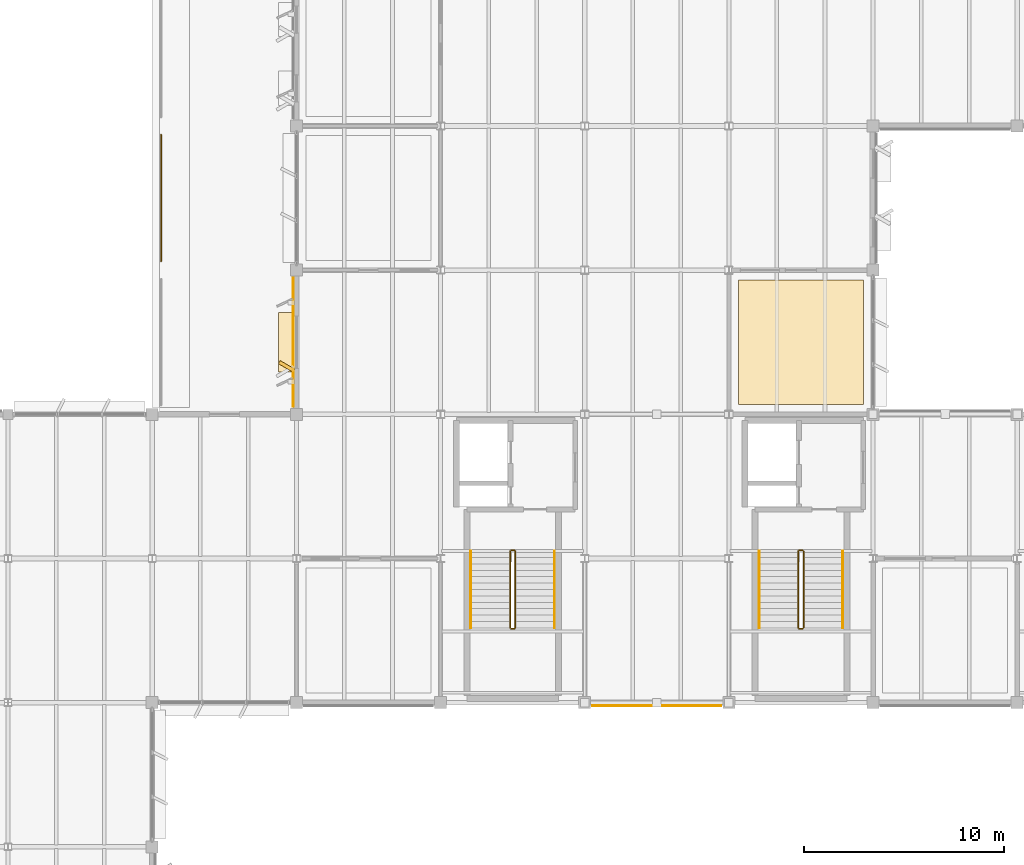
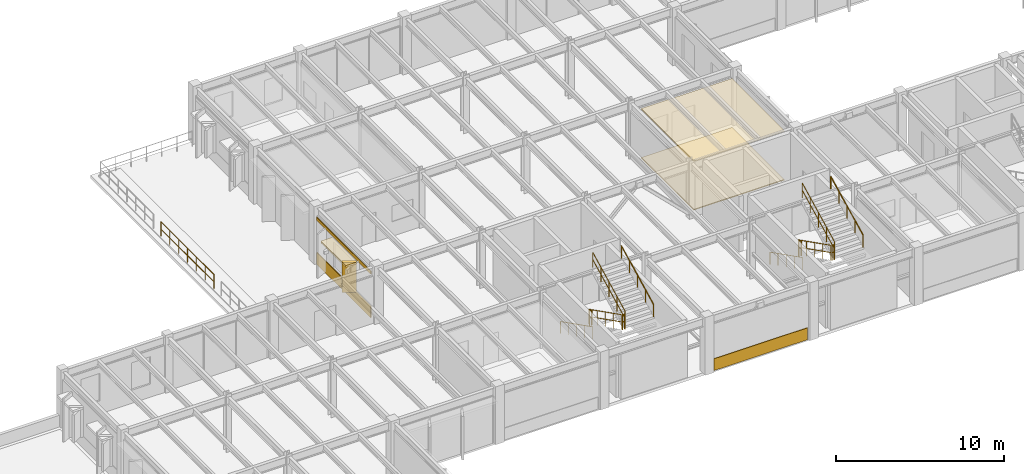
# One storey, part 81 of 85: 13 railings, 7 coverings.
"""IFC4 building model written with IfcOpenShell, lengths in metres."""

import ifcopenshell
import ifcopenshell.guid

model = None  # the IFC model being written
_history = None  # IfcOwnerHistory: only IFC2X3 demands one
_inside = {}  # id of a spatial element -> (the spatial element, [elements in it])
_under = {}  # id of a project, library or spatial element -> (it, [spatial elements below it])
_declared = {}  # id of a project -> (the project, [libraries it declares])
_typed = {}  # id of a type object -> (the type object, [elements of that type])
_made_of = {}  # id of a material, layer set ... -> (it, [elements and type objects made of it])


def new_model(schema):
    """Start an empty IFC model of exactly this schema.

    Asked for "IFC4X3", IfcOpenShell would pick the latest addendum, in which some entities
    have other attributes; the version numbers below select the first issue.
    IFC2X3 requires an IfcOwnerHistory on every rooted entity: one is made here for all.
    """
    global model, _history
    if schema == "IFC4X3":
        model = ifcopenshell.file(schema_version=(4, 3, 0, 0))
    else:
        model = ifcopenshell.file(schema=schema)
    _inside.clear()
    _under.clear()
    _declared.clear()
    _typed.clear()
    _made_of.clear()
    _history = None
    if model.schema == "IFC2X3":
        org = make("IfcOrganization", Name="unknown")
        user = make(
            "IfcPersonAndOrganization",
            ThePerson=make("IfcPerson", FamilyName="unknown"),
            TheOrganization=org,
        )
        app = make(
            "IfcApplication",
            ApplicationDeveloper=org,
            Version="unknown",
            ApplicationFullName="unknown",
            ApplicationIdentifier="unknown",
        )
        _history = make(
            "IfcOwnerHistory",
            OwningUser=user,
            OwningApplication=app,
            ChangeAction="ADDED",
            CreationDate=0,
        )
    return model


def make(cls, **values):
    """One entity of the class cls with the attributes given. An attribute that is None is left unset."""
    return model.create_entity(
        cls, **{name: value for name, value in values.items() if value is not None}
    )


def rooted(cls, **values):
    """An entity with a GlobalId (a new one), such as an element, a storey or a relation."""
    return make(cls, GlobalId=ifcopenshell.guid.new(), OwnerHistory=_history, **values)


def si_unit(unit_type, name, prefix=None):
    """IfcSIUnit, for example si_unit("LENGTHUNIT", "METRE", prefix="MILLI")."""
    return make("IfcSIUnit", UnitType=unit_type, Prefix=prefix, Name=name)


def assignment(units):
    """IfcUnitAssignment: the units of a project."""
    return None if units is None else make("IfcUnitAssignment", Units=units)


def point(xyz):
    """IfcCartesianPoint."""
    return None if xyz is None else make("IfcCartesianPoint", Coordinates=xyz)


def direction(xyz):
    """IfcDirection."""
    return None if xyz is None else make("IfcDirection", DirectionRatios=xyz)


def frame(location, z_axis=None, x_axis=None):
    """IfcAxis2Placement3D, a coordinate frame: its origin and axes. An axis left out is left unset."""
    return make(
        "IfcAxis2Placement3D",
        Location=point(location),
        Axis=direction(z_axis),
        RefDirection=direction(x_axis),
    )


def frame_2d(location, x_axis=None):
    """IfcAxis2Placement2D, a coordinate frame in the plane: its origin and x axis."""
    return make(
        "IfcAxis2Placement2D", Location=point(location), RefDirection=direction(x_axis)
    )


def origin():
    """The frame at (0, 0, 0) with its axes left unset."""
    return frame((0.0, 0.0, 0.0))


def origin_2d():
    """The frame at (0, 0) in the plane with its x axis left unset."""
    return frame_2d((0.0, 0.0))


def place(relative_to, where):
    """IfcLocalPlacement: puts the frame where relative to a parent placement (None: the world)."""
    return make(
        "IfcLocalPlacement", PlacementRelTo=relative_to, RelativePlacement=where
    )


def context(
    kind, dimensions, precision=None, world=None, true_north=None, identifier=None
):
    """IfcGeometricRepresentationContext, for example the 3D "Model" context."""
    return make(
        "IfcGeometricRepresentationContext",
        ContextIdentifier=identifier,
        ContextType=kind,
        CoordinateSpaceDimension=dimensions,
        Precision=precision,
        WorldCoordinateSystem=world,
        TrueNorth=true_north,
    )


def subcontext(parent, identifier, kind, view, scale=None):
    """IfcGeometricRepresentationSubContext, for example "Body" below "Model"."""
    return make(
        "IfcGeometricRepresentationSubContext",
        ContextIdentifier=identifier,
        ContextType=kind,
        ParentContext=parent,
        TargetScale=scale,
        TargetView=view,
    )


def project(units=None, contexts=None):
    """IfcProject with its units and contexts."""
    return rooted(
        "IfcProject",
        Name="project",
        RepresentationContexts=contexts,
        UnitsInContext=assignment(units),
    )


def spatial(cls, under=None, at=None, **own):
    """A site, building, storey or space (cls), placed at a placement, below another one or the project."""
    s = rooted(cls, ObjectPlacement=at, **own)
    if under is not None:
        _under.setdefault(under.id(), (under, []))[1].append(s)
    return s


def polyline(points):
    """IfcPolyline through the points."""
    return make("IfcPolyline", Points=[point(p) for p in points])


def profile(cls, at=None, kind="AREA", **sizes):
    """A parametric profile (cls). Its sizes go by their IFC names, for example OverallWidth=200.0."""
    return make(cls, ProfileType=kind, Position=at, **sizes)


def rectangle(**sizes):
    """IfcRectangleProfileDef."""
    return profile("IfcRectangleProfileDef", **sizes)


def circle(**sizes):
    """IfcCircleProfileDef."""
    return profile("IfcCircleProfileDef", **sizes)


def outline(outer, holes=None, kind="AREA"):
    """IfcArbitraryClosedProfileDef: a profile drawn as a closed curve; with holes, ...WithVoids."""
    if holes is None:
        return make("IfcArbitraryClosedProfileDef", ProfileType=kind, OuterCurve=outer)
    return make(
        "IfcArbitraryProfileDefWithVoids",
        ProfileType=kind,
        OuterCurve=outer,
        InnerCurves=holes,
    )


def extrude(swept, where, along, depth):
    """IfcExtrudedAreaSolid: the profile swept, set in the frame where, extruded along a direction by depth."""
    return make(
        "IfcExtrudedAreaSolid",
        SweptArea=swept,
        Position=where,
        ExtrudedDirection=direction(along),
        Depth=depth,
    )


def shape(context_of_items, identifier, shape_type, items):
    """IfcShapeRepresentation: the items that make up one representation, for example the "Body"."""
    return make(
        "IfcShapeRepresentation",
        ContextOfItems=context_of_items,
        RepresentationIdentifier=identifier,
        RepresentationType=shape_type,
        Items=items,
    )


def material(Name=None, Category=None):
    """IfcMaterial."""
    return make("IfcMaterial", Name=Name, Category=Category)


def layer(
    of_material, thickness, ventilated=None, Name=None, Category=None, Priority=None
):
    """IfcMaterialLayer: one layer of a wall or slab, of a material (None: an air gap)."""
    return make(
        "IfcMaterialLayer",
        Material=of_material,
        LayerThickness=thickness,
        IsVentilated=ventilated,
        Name=Name,
        Category=Category,
        Priority=Priority,
    )


def layer_set(layers, Name=None):
    """IfcMaterialLayerSet."""
    return make("IfcMaterialLayerSet", MaterialLayers=layers, LayerSetName=Name)


def made_of(thing, what):
    """Note that an element or type object is made of a material, layer set ...; save() writes the relation."""
    if what is not None:
        _made_of.setdefault(what.id(), (what, []))[1].append(thing)
    return thing


def type_object(cls, material=None, **own):
    """A type object (cls), such as IfcWallType, which elements share."""
    return made_of(rooted(cls, **own), material)


def element(
    cls,
    number,
    at=None,
    inside=None,
    cuts=None,
    type_object=None,
    material=None,
    context=None,
    identifier="Body",
    shape_type=None,
    held_by="IfcProductDefinitionShape",
    body=None,
    shapes=None,
    **own,
):
    """One element of the class cls, such as IfcWall. Its Tag is "e" and its number.

    at: its placement. inside: the storey or other place that contains it. cuts: it is an
    opening in that element (IfcRelVoidsElement). A single representation is given by context,
    identifier, shape_type and body (its items); several are given by shapes. held_by: the class
    of the entity that holds the representations. save() writes the other relations.
    """
    e = rooted(cls, Tag="e%d" % number, ObjectPlacement=at, **own)
    if body is not None:
        shapes = [shape(context, identifier, shape_type, body)]
    if shapes is not None:
        e.Representation = make(held_by, Representations=shapes)
    if inside is not None:
        _inside.setdefault(inside.id(), (inside, []))[1].append(e)
    if cuts is not None:
        rooted(
            "IfcRelVoidsElement", RelatingBuildingElement=cuts, RelatedOpeningElement=e
        )
    if type_object is not None:
        _typed.setdefault(type_object.id(), (type_object, []))[1].append(e)
    return made_of(e, material)


def aggregate(whole, parts):
    """IfcRelAggregates: a whole, such as a stair, and the parts it consists of."""
    return rooted("IfcRelAggregates", RelatingObject=whole, RelatedObjects=parts)


def save(model, path):
    """Write the relations noted so far, then the file.

    IfcRelAggregates (storeys below a building ...), IfcRelContainedInSpatialStructure (elements
    in a storey), IfcRelDefinesByType, IfcRelAssociatesMaterial and IfcRelDeclares: one each for
    every whole, place, type object, material and project.
    """
    for whole, parts in _under.values():
        aggregate(whole, parts)
    for where, things in _inside.values():
        rooted(
            "IfcRelContainedInSpatialStructure",
            RelatedElements=things,
            RelatingStructure=where,
        )
    for kind, things in _typed.values():
        rooted("IfcRelDefinesByType", RelatedObjects=things, RelatingType=kind)
    for what, things in _made_of.values():
        rooted("IfcRelAssociatesMaterial", RelatedObjects=things, RelatingMaterial=what)
    for by, libraries in _declared.values():
        rooted("IfcRelDeclares", RelatingContext=by, RelatedDefinitions=libraries)
    model.write(path)


model = new_model("IFC4")

# Units and contexts
model_context = context("Model", 3, precision=1e-05, world=origin(), true_north=direction((0.0, 1.0)))
body_context = subcontext(model_context, "Body", "Model", "MODEL_VIEW")
ifc_project = project(units=[si_unit("LENGTHUNIT", "METRE"), si_unit("AREAUNIT", "SQUARE_METRE"), si_unit("VOLUMEUNIT", "CUBIC_METRE"), si_unit("PLANEANGLEUNIT", "RADIAN"), si_unit("MASSUNIT", "GRAM", prefix="KILO")], contexts=[model_context])

# Site, building, storey
site_placement = place(None, origin())
site = spatial("IfcSite", under=ifc_project, at=site_placement, CompositionType="ELEMENT")
building_placement = place(site_placement, origin())
building = spatial("IfcBuilding", under=site, at=building_placement, Name="Sillqori Civic Hall", CompositionType="ELEMENT")
storey_placement = place(building_placement, frame((0.0, 0.0, 9.89990234375)))
storey = spatial("IfcBuildingStorey", under=building, at=storey_placement, Name="L03", CompositionType="ELEMENT", Elevation=9.89990234375)

# Coverings
ifc_material_1 = material(Name="Chamber Acoustic Coffer Liner 84", Category="timber")
ifc_layer_1 = layer(ifc_material_1, 0.083984375)
ifc_layer_set_1 = layer_set([ifc_layer_1], Name="Chamber Acoustic Coffer Liner 84")
covering_type_1 = type_object("IfcCoveringType", Name="COV-CEIL-M84", PredefinedType="CEILING", material=ifc_layer_set_1)
covering_1_placement = place(storey_placement, frame((0.0, 0.0, 3.537109375)))
element("IfcCovering", 1, at=covering_1_placement, inside=storey, type_object=covering_type_1, Name="Municipal Staff Reference Lounge acoustic ceiling", PredefinedType="CEILING", context=body_context, shape_type="SweptSolid", body=[
    extrude(outline(polyline([(65.280029296875, 94.080078125), (71.52001953125, 94.080078125), (71.52001953125, 100.320068359375), (65.280029296875, 100.320068359375), (65.280029296875, 94.080078125)])), origin(), (0.0, 0.0, 1.0), 0.083984375),
])
ifc_material_2 = material(Name="Cochabamba Honed Limestone Cladding", Category="masonry")
ifc_layer_2 = layer(ifc_material_2, 0.044921875)
ifc_layer_set_2 = layer_set([ifc_layer_2], Name="Cochabamba Honed Limestone Cladding")
covering_type_2 = type_object("IfcCoveringType", Name="COV-CLAD-LIME", PredefinedType="CLADDING", material=ifc_layer_set_2)
covering_2_placement = place(storey_placement, frame((43.0400390625, 93.97998046875, 0.0400390625), z_axis=(0.0, 0.0, 1.0), x_axis=(0.0, 1.0, 0.0)))
element("IfcCovering", 2, at=covering_2_placement, inside=storey, type_object=covering_type_2, Name="L03 limestone spandrel cladding L03-06-13-W", PredefinedType="CLADDING", context=body_context, shape_type="SweptSolid", body=[
    extrude(rectangle(XDim=6.43994140625, YDim=0.044921875, at=frame_2d((3.219970703125, 0.0))), origin(), (0.0, 0.0, 1.0), 0.860107421875),
])
covering_3_placement = place(storey_placement, frame((43.0400390625, 93.97998046875, 3.22021484375), z_axis=(0.0, 0.0, 1.0), x_axis=(0.0, 1.0, 0.0)))
element("IfcCovering", 3, at=covering_3_placement, inside=storey, type_object=covering_type_2, Name="L03 limestone frieze cladding L03-06-13-W", PredefinedType="CLADDING", context=body_context, shape_type="SweptSolid", body=[
    extrude(rectangle(XDim=6.43994140625, YDim=0.044921875, at=frame_2d((3.219970703125, 0.0))), origin(), (0.0, 0.0, 1.0), 0.226806640625),
])
covering_4_placement = place(storey_placement, frame((43.080078125, 95.780029296875, 0.830078125), z_axis=(0.0, 0.0, 1.0), x_axis=(-0.865989465428, 0.500062241894, 0.0)))
element("IfcCovering", 4, at=covering_4_placement, inside=storey, type_object=covering_type_2, Name="Sawtooth limestone angled reveal cheek L03-06-13-W.1", PredefinedType="CLADDING", context=body_context, shape_type="SweptSolid", body=[
    extrude(rectangle(XDim=0.85009765625, YDim=0.179931640625, at=frame_2d((0.425048828125, 0.0))), origin(), (0.0, 0.0, 1.0), 2.199951171875),
])
covering_5_placement = place(storey_placement, frame((42.699951171875, 95.719970703125, 2.89013671875), z_axis=(0.0, 0.0, 1.0), x_axis=(0.0, 1.0, 0.0)))
element("IfcCovering", 5, at=covering_5_placement, inside=storey, type_object=covering_type_2, Name="Sawtooth limestone window hood L03-06-13-W.1", PredefinedType="CLADDING", context=body_context, shape_type="SweptSolid", body=[
    extrude(rectangle(XDim=2.9599609375, YDim=0.780029296875, at=frame_2d((1.47998046875, 0.0))), origin(), (0.0, 0.0, 1.0), 0.139892578125),
])
covering_6_placement = place(storey_placement, frame((64.419921875, 79.0400390625, 0.0400390625), z_axis=(0.0, 0.0, 1.0), x_axis=(-1.0, 0.0, 0.0)))
element("IfcCovering", 6, at=covering_6_placement, inside=storey, type_object=covering_type_2, Name="L03 limestone spandrel cladding L03-08-11-S", PredefinedType="CLADDING", context=body_context, shape_type="SweptSolid", body=[
    extrude(rectangle(XDim=6.43994140625, YDim=0.044921875, at=frame_2d((3.219970703125, 0.0))), origin(), (0.0, 0.0, 1.0), 0.860107421875),
])
ifc_material_3 = material(Name="Raised Access Technical Floor Panel 62", Category="stone")
ifc_layer_3 = layer(ifc_material_3, 0.06201171875)
ifc_layer_set_3 = layer_set([ifc_layer_3], Name="Raised Access Technical Floor Panel 62")
covering_type_3 = type_object("IfcCoveringType", Name="COV-FLR-S62", PredefinedType="FLOORING", material=ifc_layer_set_3)
covering_7_placement = place(storey_placement, origin())
element("IfcCovering", 7, at=covering_7_placement, inside=storey, type_object=covering_type_3, Name="Municipal Staff Reference Lounge floor finish", PredefinedType="FLOORING", context=body_context, shape_type="SweptSolid", body=[
    extrude(outline(polyline([(65.280029296875, 94.080078125), (71.52001953125, 94.080078125), (71.52001953125, 100.320068359375), (65.280029296875, 100.320068359375), (65.280029296875, 94.080078125)])), origin(), (0.0, 0.0, 1.0), 0.06201171875),
])

# Railings
ifc_material_4 = material(Name="Brushed Stainless Steel 316 Handrail", Category="steel")
ifc_layer_4 = layer(ifc_material_4, 0.044921875)
ifc_layer_set_4 = layer_set([ifc_layer_4], Name="Brushed Stainless Steel 316 Handrail")
railing_type_1 = type_object("IfcRailingType", Name="RLG-CORE-092", PredefinedType="HANDRAIL", material=ifc_layer_set_4)
railing_1_placement = place(storey_placement, frame((51.909912109375, 86.77001953125, 0.16162109375)))
element("IfcRailing", 8, at=railing_1_placement, inside=storey, type_object=railing_type_1, Name="L03 ST-05 stair handrail 1", PredefinedType="HANDRAIL", context=body_context, shape_type="SweptSolid", body=[
    extrude(circle(Radius=0.02392578125, at=origin_2d()), frame((0.0, 0.0, 0.8759765625), z_axis=(0.0, -0.892706606903, 0.450638340569), x_axis=(1.0, 0.0, 0.0)), (0.0, 0.0, 1.0), 4.301513671875),
    extrude(circle(Radius=0.02099609375, at=origin_2d()), origin(), (0.0, 0.0, 1.0), 0.851806640625),
    extrude(circle(Radius=0.02099609375, at=origin_2d()), frame((0.0, -0.9599609375, 0.484619140625)), (0.0, 0.0, 1.0), 0.851806640625),
    extrude(circle(Radius=0.02099609375, at=origin_2d()), frame((0.0, -1.919921875, 0.96923828125)), (0.0, 0.0, 1.0), 0.851806640625),
    extrude(circle(Radius=0.02099609375, at=origin_2d()), frame((0.0, -2.880126953125, 1.453857421875)), (0.0, 0.0, 1.0), 0.851806640625),
    extrude(circle(Radius=0.02099609375, at=origin_2d()), frame((0.0, -3.840087890625, 1.9384765625)), (0.0, 0.0, 1.0), 0.851806640625),
])
railing_2_placement = place(storey_placement, frame((56.090087890625, 82.929931640625, 2.26171875)))
element("IfcRailing", 9, at=railing_2_placement, inside=storey, type_object=railing_type_1, Name="L03 ST-05 stair handrail 2", PredefinedType="HANDRAIL", context=body_context, shape_type="SweptSolid", body=[
    extrude(circle(Radius=0.02392578125, at=origin_2d()), frame((0.0, 0.0, 0.8759765625), z_axis=(0.0, 0.892706606903, 0.450638340569), x_axis=(-1.0, 0.0, 0.0)), (0.0, 0.0, 1.0), 4.301513671875),
    extrude(circle(Radius=0.02099609375, at=origin_2d()), origin(), (0.0, 0.0, 1.0), 0.851806640625),
    extrude(circle(Radius=0.02099609375, at=origin_2d()), frame((0.0, 0.9599609375, 0.484619140625)), (0.0, 0.0, 1.0), 0.851806640625),
    extrude(circle(Radius=0.02099609375, at=origin_2d()), frame((0.0, 1.919921875, 0.96923828125)), (0.0, 0.0, 1.0), 0.851806640625),
    extrude(circle(Radius=0.02099609375, at=origin_2d()), frame((0.0, 2.880126953125, 1.453857421875)), (0.0, 0.0, 1.0), 0.851806640625),
    extrude(circle(Radius=0.02099609375, at=origin_2d()), frame((0.0, 3.840087890625, 1.9384765625)), (0.0, 0.0, 1.0), 0.851806640625),
])
railing_3_placement = place(storey_placement, frame((66.31005859375, 86.77001953125, 0.16162109375)))
element("IfcRailing", 10, at=railing_3_placement, inside=storey, type_object=railing_type_1, Name="L03 ST-06 stair handrail 1", PredefinedType="HANDRAIL", context=body_context, shape_type="SweptSolid", body=[
    extrude(circle(Radius=0.02392578125, at=origin_2d()), frame((0.0, 0.0, 0.8759765625), z_axis=(0.0, -0.892706606903, 0.450638340569), x_axis=(1.0, 0.0, 0.0)), (0.0, 0.0, 1.0), 4.301513671875),
    extrude(circle(Radius=0.02099609375, at=origin_2d()), origin(), (0.0, 0.0, 1.0), 0.851806640625),
    extrude(circle(Radius=0.02099609375, at=origin_2d()), frame((0.0, -0.9599609375, 0.484619140625)), (0.0, 0.0, 1.0), 0.851806640625),
    extrude(circle(Radius=0.02099609375, at=origin_2d()), frame((0.0, -1.919921875, 0.96923828125)), (0.0, 0.0, 1.0), 0.851806640625),
    extrude(circle(Radius=0.02099609375, at=origin_2d()), frame((0.0, -2.880126953125, 1.453857421875)), (0.0, 0.0, 1.0), 0.851806640625),
    extrude(circle(Radius=0.02099609375, at=origin_2d()), frame((0.0, -3.840087890625, 1.9384765625)), (0.0, 0.0, 1.0), 0.851806640625),
])
railing_4_placement = place(storey_placement, frame((70.489990234375, 82.929931640625, 2.26171875)))
element("IfcRailing", 11, at=railing_4_placement, inside=storey, type_object=railing_type_1, Name="L03 ST-06 stair handrail 2", PredefinedType="HANDRAIL", context=body_context, shape_type="SweptSolid", body=[
    extrude(circle(Radius=0.02392578125, at=origin_2d()), frame((0.0, 0.0, 0.8759765625), z_axis=(0.0, 0.892706606903, 0.450638340569), x_axis=(-1.0, 0.0, 0.0)), (0.0, 0.0, 1.0), 4.301513671875),
    extrude(circle(Radius=0.02099609375, at=origin_2d()), origin(), (0.0, 0.0, 1.0), 0.851806640625),
    extrude(circle(Radius=0.02099609375, at=origin_2d()), frame((0.0, 0.9599609375, 0.484619140625)), (0.0, 0.0, 1.0), 0.851806640625),
    extrude(circle(Radius=0.02099609375, at=origin_2d()), frame((0.0, 1.919921875, 0.96923828125)), (0.0, 0.0, 1.0), 0.851806640625),
    extrude(circle(Radius=0.02099609375, at=origin_2d()), frame((0.0, 2.880126953125, 1.453857421875)), (0.0, 0.0, 1.0), 0.851806640625),
    extrude(circle(Radius=0.02099609375, at=origin_2d()), frame((0.0, 3.840087890625, 1.9384765625)), (0.0, 0.0, 1.0), 0.851806640625),
])
ifc_material_5 = material(Name="Galvanized Painted Steel Guardrail", Category="steel")
ifc_layer_5 = layer(ifc_material_5, 0.050048828125)
ifc_layer_set_5 = layer_set([ifc_layer_5], Name="Galvanized Painted Steel Guardrail")
railing_type_2 = type_object("IfcRailingType", Name="RLG-CORE-110", PredefinedType="GUARDRAIL", material=ifc_layer_set_5)
railing_5_placement = place(storey_placement, frame((53.8701171875, 86.77001953125, 0.16162109375)))
element("IfcRailing", 12, at=railing_5_placement, inside=storey, type_object=railing_type_2, Name="L03 ST-05 stair guard 1", PredefinedType="GUARDRAIL", context=body_context, shape_type="SweptSolid", body=[
    extrude(circle(Radius=0.02392578125, at=origin_2d()), frame((0.0, 0.0, 1.076171875), z_axis=(0.0, -0.892706606903, 0.450638340569), x_axis=(1.0, 0.0, 0.0)), (0.0, 0.0, 1.0), 4.301513671875),
    extrude(circle(Radius=0.02392578125, at=origin_2d()), frame((0.0, 0.0, 0.550048828125), z_axis=(0.0, -0.892706606903, 0.450638340569), x_axis=(1.0, 0.0, 0.0)), (0.0, 0.0, 1.0), 4.301513671875),
    extrude(circle(Radius=0.02099609375, at=origin_2d()), origin(), (0.0, 0.0, 1.0), 1.052001953125),
    extrude(circle(Radius=0.02099609375, at=origin_2d()), frame((0.0, -0.9599609375, 0.484619140625)), (0.0, 0.0, 1.0), 1.052001953125),
    extrude(circle(Radius=0.02099609375, at=origin_2d()), frame((0.0, -1.919921875, 0.96923828125)), (0.0, 0.0, 1.0), 1.052001953125),
    extrude(circle(Radius=0.02099609375, at=origin_2d()), frame((0.0, -2.880126953125, 1.453857421875)), (0.0, 0.0, 1.0), 1.052001953125),
    extrude(circle(Radius=0.02099609375, at=origin_2d()), frame((0.0, -3.840087890625, 1.9384765625)), (0.0, 0.0, 1.0), 1.052001953125),
])
railing_6_placement = place(storey_placement, frame((53.919921875, 82.8798828125, 2.10009765625)))
element("IfcRailing", 13, at=railing_6_placement, inside=storey, type_object=railing_type_2, Name="L03 ST-05 stair guard 2", PredefinedType="GUARDRAIL", context=body_context, shape_type="SweptSolid", body=[
    extrude(circle(Radius=0.02392578125, at=origin_2d()), frame((0.0, 0.0, 1.076171875), z_axis=(1.0, 0.0, 0.0), x_axis=(0.0, 1.0, 0.0)), (0.0, 0.0, 1.0), 0.16015625),
    extrude(circle(Radius=0.02392578125, at=origin_2d()), frame((0.0, 0.0, 0.550048828125), z_axis=(1.0, 0.0, 0.0), x_axis=(0.0, 1.0, 0.0)), (0.0, 0.0, 1.0), 0.16015625),
    extrude(circle(Radius=0.02099609375, at=origin_2d()), origin(), (0.0, 0.0, 1.0), 1.052001953125),
    extrude(circle(Radius=0.02099609375, at=origin_2d()), frame((0.16015625, 0.0, 0.0)), (0.0, 0.0, 1.0), 1.052001953125),
])
railing_7_placement = place(storey_placement, frame((54.1298828125, 82.929931640625, 2.26171875)))
element("IfcRailing", 14, at=railing_7_placement, inside=storey, type_object=railing_type_2, Name="L03 ST-05 stair guard 3", PredefinedType="GUARDRAIL", context=body_context, shape_type="SweptSolid", body=[
    extrude(circle(Radius=0.02392578125, at=origin_2d()), frame((0.0, 0.0, 1.076171875), z_axis=(0.0, 0.892706606903, 0.450638340569), x_axis=(-1.0, 0.0, 0.0)), (0.0, 0.0, 1.0), 4.301513671875),
    extrude(circle(Radius=0.02392578125, at=origin_2d()), frame((0.0, 0.0, 0.550048828125), z_axis=(0.0, 0.892706606903, 0.450638340569), x_axis=(-1.0, 0.0, 0.0)), (0.0, 0.0, 1.0), 4.301513671875),
    extrude(circle(Radius=0.02099609375, at=origin_2d()), origin(), (0.0, 0.0, 1.0), 1.052001953125),
    extrude(circle(Radius=0.02099609375, at=origin_2d()), frame((0.0, 0.9599609375, 0.484619140625)), (0.0, 0.0, 1.0), 1.052001953125),
    extrude(circle(Radius=0.02099609375, at=origin_2d()), frame((0.0, 1.919921875, 0.96923828125)), (0.0, 0.0, 1.0), 1.052001953125),
    extrude(circle(Radius=0.02099609375, at=origin_2d()), frame((0.0, 2.880126953125, 1.453857421875)), (0.0, 0.0, 1.0), 1.052001953125),
    extrude(circle(Radius=0.02099609375, at=origin_2d()), frame((0.0, 3.840087890625, 1.9384765625)), (0.0, 0.0, 1.0), 1.052001953125),
])
railing_8_placement = place(storey_placement, frame((53.919921875, 86.820068359375, 0.0)))
element("IfcRailing", 15, at=railing_8_placement, inside=storey, type_object=railing_type_2, Name="L03 ST-05 stair guard 4", PredefinedType="GUARDRAIL", context=body_context, shape_type="SweptSolid", body=[
    extrude(circle(Radius=0.02392578125, at=origin_2d()), frame((0.0, 0.0, 1.076171875), z_axis=(1.0, 0.0, 0.0), x_axis=(0.0, 1.0, 0.0)), (0.0, 0.0, 1.0), 0.16015625),
    extrude(circle(Radius=0.02392578125, at=origin_2d()), frame((0.0, 0.0, 0.550048828125), z_axis=(1.0, 0.0, 0.0), x_axis=(0.0, 1.0, 0.0)), (0.0, 0.0, 1.0), 0.16015625),
    extrude(circle(Radius=0.02099609375, at=origin_2d()), origin(), (0.0, 0.0, 1.0), 1.052001953125),
    extrude(circle(Radius=0.02099609375, at=origin_2d()), frame((0.16015625, 0.0, 0.0)), (0.0, 0.0, 1.0), 1.052001953125),
])
railing_9_placement = place(storey_placement, frame((68.27001953125, 86.77001953125, 0.16162109375)))
element("IfcRailing", 16, at=railing_9_placement, inside=storey, type_object=railing_type_2, Name="L03 ST-06 stair guard 1", PredefinedType="GUARDRAIL", context=body_context, shape_type="SweptSolid", body=[
    extrude(circle(Radius=0.02392578125, at=origin_2d()), frame((0.0, 0.0, 1.076171875), z_axis=(0.0, -0.892706606903, 0.450638340569), x_axis=(1.0, 0.0, 0.0)), (0.0, 0.0, 1.0), 4.301513671875),
    extrude(circle(Radius=0.02392578125, at=origin_2d()), frame((0.0, 0.0, 0.550048828125), z_axis=(0.0, -0.892706606903, 0.450638340569), x_axis=(1.0, 0.0, 0.0)), (0.0, 0.0, 1.0), 4.301513671875),
    extrude(circle(Radius=0.02099609375, at=origin_2d()), origin(), (0.0, 0.0, 1.0), 1.052001953125),
    extrude(circle(Radius=0.02099609375, at=origin_2d()), frame((0.0, -0.9599609375, 0.484619140625)), (0.0, 0.0, 1.0), 1.052001953125),
    extrude(circle(Radius=0.02099609375, at=origin_2d()), frame((0.0, -1.919921875, 0.96923828125)), (0.0, 0.0, 1.0), 1.052001953125),
    extrude(circle(Radius=0.02099609375, at=origin_2d()), frame((0.0, -2.880126953125, 1.453857421875)), (0.0, 0.0, 1.0), 1.052001953125),
    extrude(circle(Radius=0.02099609375, at=origin_2d()), frame((0.0, -3.840087890625, 1.9384765625)), (0.0, 0.0, 1.0), 1.052001953125),
])
railing_10_placement = place(storey_placement, frame((68.320068359375, 82.8798828125, 2.10009765625)))
element("IfcRailing", 17, at=railing_10_placement, inside=storey, type_object=railing_type_2, Name="L03 ST-06 stair guard 2", PredefinedType="GUARDRAIL", context=body_context, shape_type="SweptSolid", body=[
    extrude(circle(Radius=0.02392578125, at=origin_2d()), frame((0.0, 0.0, 1.076171875), z_axis=(1.0, 0.0, 0.0), x_axis=(0.0, 1.0, 0.0)), (0.0, 0.0, 1.0), 0.159912109375),
    extrude(circle(Radius=0.02392578125, at=origin_2d()), frame((0.0, 0.0, 0.550048828125), z_axis=(1.0, 0.0, 0.0), x_axis=(0.0, 1.0, 0.0)), (0.0, 0.0, 1.0), 0.159912109375),
    extrude(circle(Radius=0.02099609375, at=origin_2d()), origin(), (0.0, 0.0, 1.0), 1.052001953125),
    extrude(circle(Radius=0.02099609375, at=origin_2d()), frame((0.159912109375, 0.0, 0.0)), (0.0, 0.0, 1.0), 1.052001953125),
])
railing_11_placement = place(storey_placement, frame((68.530029296875, 82.929931640625, 2.26171875)))
element("IfcRailing", 18, at=railing_11_placement, inside=storey, type_object=railing_type_2, Name="L03 ST-06 stair guard 3", PredefinedType="GUARDRAIL", context=body_context, shape_type="SweptSolid", body=[
    extrude(circle(Radius=0.02392578125, at=origin_2d()), frame((0.0, 0.0, 1.076171875), z_axis=(0.0, 0.892706606903, 0.450638340569), x_axis=(-1.0, 0.0, 0.0)), (0.0, 0.0, 1.0), 4.301513671875),
    extrude(circle(Radius=0.02392578125, at=origin_2d()), frame((0.0, 0.0, 0.550048828125), z_axis=(0.0, 0.892706606903, 0.450638340569), x_axis=(-1.0, 0.0, 0.0)), (0.0, 0.0, 1.0), 4.301513671875),
    extrude(circle(Radius=0.02099609375, at=origin_2d()), origin(), (0.0, 0.0, 1.0), 1.052001953125),
    extrude(circle(Radius=0.02099609375, at=origin_2d()), frame((0.0, 0.9599609375, 0.484619140625)), (0.0, 0.0, 1.0), 1.052001953125),
    extrude(circle(Radius=0.02099609375, at=origin_2d()), frame((0.0, 1.919921875, 0.96923828125)), (0.0, 0.0, 1.0), 1.052001953125),
    extrude(circle(Radius=0.02099609375, at=origin_2d()), frame((0.0, 2.880126953125, 1.453857421875)), (0.0, 0.0, 1.0), 1.052001953125),
    extrude(circle(Radius=0.02099609375, at=origin_2d()), frame((0.0, 3.840087890625, 1.9384765625)), (0.0, 0.0, 1.0), 1.052001953125),
])
railing_12_placement = place(storey_placement, frame((68.320068359375, 86.820068359375, 0.0)))
element("IfcRailing", 19, at=railing_12_placement, inside=storey, type_object=railing_type_2, Name="L03 ST-06 stair guard 4", PredefinedType="GUARDRAIL", context=body_context, shape_type="SweptSolid", body=[
    extrude(circle(Radius=0.02392578125, at=origin_2d()), frame((0.0, 0.0, 1.076171875), z_axis=(1.0, 0.0, 0.0), x_axis=(0.0, 1.0, 0.0)), (0.0, 0.0, 1.0), 0.159912109375),
    extrude(circle(Radius=0.02392578125, at=origin_2d()), frame((0.0, 0.0, 0.550048828125), z_axis=(1.0, 0.0, 0.0), x_axis=(0.0, 1.0, 0.0)), (0.0, 0.0, 1.0), 0.159912109375),
    extrude(circle(Radius=0.02099609375, at=origin_2d()), origin(), (0.0, 0.0, 1.0), 1.052001953125),
    extrude(circle(Radius=0.02099609375, at=origin_2d()), frame((0.159912109375, 0.0, 0.0)), (0.0, 0.0, 1.0), 1.052001953125),
])
ifc_material_6 = material(Name="Stainless Steel 316 and Laminated Balustrade", Category="steel")
ifc_layer_6 = layer(ifc_material_6, 0.06005859375)
ifc_layer_set_6 = layer_set([ifc_layer_6], Name="Stainless Steel 316 and Laminated Balustrade")
railing_type_3 = type_object("IfcRailingType", Name="RLG-TERR-112", PredefinedType="GUARDRAIL", material=ifc_layer_set_6)
railing_13_placement = place(storey_placement, frame((36.43994140625, 101.239990234375, 0.0)))
element("IfcRailing", 20, at=railing_13_placement, inside=storey, type_object=railing_type_3, Name="Planning West Setback Terrace perimeter guard W-03", PredefinedType="GUARDRAIL", context=body_context, shape_type="SweptSolid", body=[
    extrude(circle(Radius=0.02392578125, at=origin_2d()), frame((0.0, 0.0, 1.09619140625), z_axis=(0.0, 1.0, 0.0), x_axis=(-1.0, 0.0, 0.0)), (0.0, 0.0, 1.0), 6.320068359375),
    extrude(circle(Radius=0.02392578125, at=origin_2d()), frame((0.0, 0.0, 0.56005859375), z_axis=(0.0, 1.0, 0.0), x_axis=(-1.0, 0.0, 0.0)), (0.0, 0.0, 1.0), 6.320068359375),
    extrude(circle(Radius=0.02099609375, at=origin_2d()), origin(), (0.0, 0.0, 1.0), 1.072021484375),
    extrude(circle(Radius=0.02099609375, at=origin_2d()), frame((0.0, 1.05322265625, 0.0)), (0.0, 0.0, 1.0), 1.072021484375),
    extrude(circle(Radius=0.02099609375, at=origin_2d()), frame((0.0, 2.106689453125, 0.0)), (0.0, 0.0, 1.0), 1.072021484375),
    extrude(circle(Radius=0.02099609375, at=origin_2d()), frame((0.0, 3.16015625, 0.0)), (0.0, 0.0, 1.0), 1.072021484375),
    extrude(circle(Radius=0.02099609375, at=origin_2d()), frame((0.0, 4.21337890625, 0.0)), (0.0, 0.0, 1.0), 1.072021484375),
    extrude(circle(Radius=0.02099609375, at=origin_2d()), frame((0.0, 5.2666015625, 0.0)), (0.0, 0.0, 1.0), 1.072021484375),
    extrude(circle(Radius=0.02099609375, at=origin_2d()), frame((0.0, 6.320068359375, 0.0)), (0.0, 0.0, 1.0), 1.072021484375),
])

save(model, "model.ifc")
